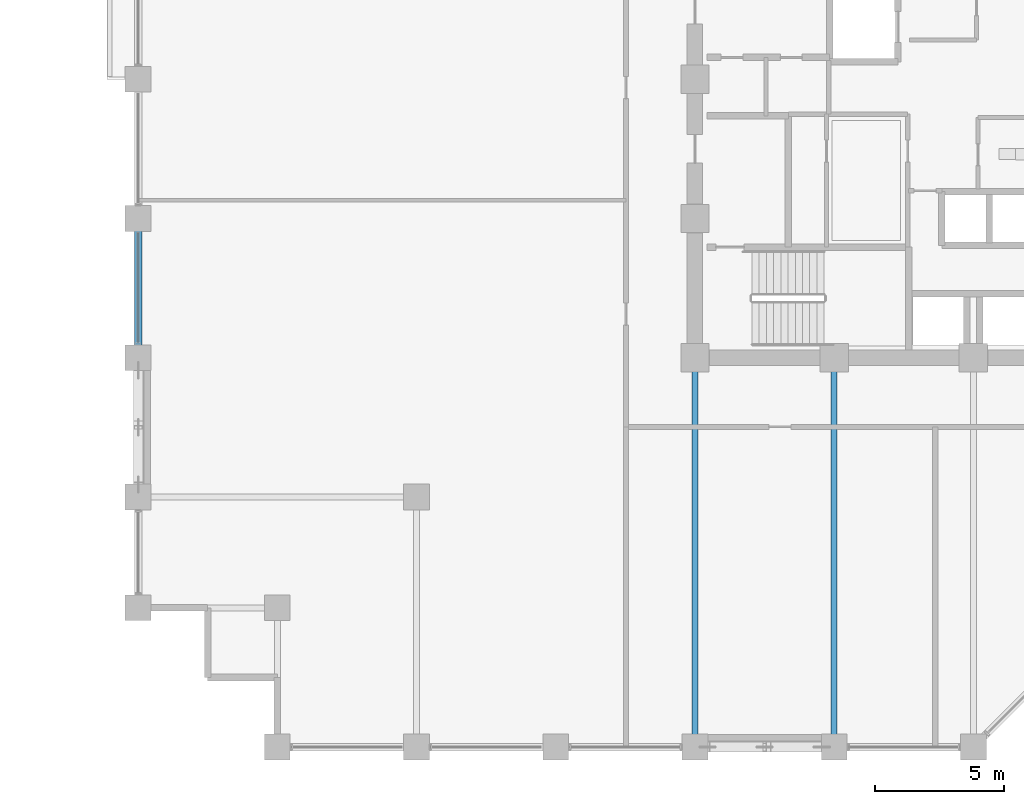
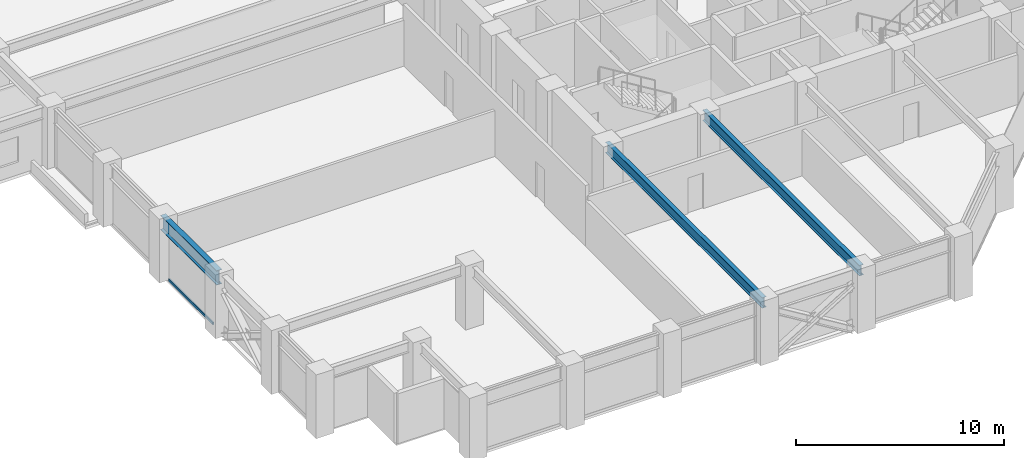
# One storey, part 4 of 29: 3 beams, 1 member, 1 element without a shape of its own.
"""IFC4 building model written with IfcOpenShell, lengths in metres."""

from ifc_helpers import new_model, si_unit, direction, frame, origin, origin_2d, place, context, subcontext, project, spatial, hollow_rectangle, i_section, extrude, material, layer, layer_set, material_profile, profile_set, type_object, element, aggregate, save


model = new_model("IFC4")

# Units and contexts
model_context = context("Model", 3, precision=1e-05, world=origin(), true_north=direction((0.0, 1.0)))
body_context = subcontext(model_context, "Body", "Model", "MODEL_VIEW")
ifc_project = project(units=[si_unit("LENGTHUNIT", "METRE"), si_unit("AREAUNIT", "SQUARE_METRE"), si_unit("VOLUMEUNIT", "CUBIC_METRE"), si_unit("PLANEANGLEUNIT", "RADIAN"), si_unit("MASSUNIT", "GRAM", prefix="KILO")], contexts=[model_context])

# Site, building, storey
site_placement = place(None, origin())
site = spatial("IfcSite", under=ifc_project, at=site_placement, CompositionType="ELEMENT")
building_placement = place(site_placement, origin())
building = spatial("IfcBuilding", under=site, at=building_placement, Name="Surkhivell Harbour Commons", CompositionType="ELEMENT")
storey_placement = place(building_placement, frame((0.0, 0.0, 150.75)))
storey = spatial("IfcBuildingStorey", under=building, at=storey_placement, Name="L39", CompositionType="ELEMENT", Elevation=150.75)

# Beams
ifc_material_1 = material(Name="Steel S355", Category="steel")
ifc_material_profile_1 = material_profile(ifc_material_1, i_section(OverallWidth=0.22998046875, OverallDepth=0.616943359375, WebThickness=0.01318359375, FlangeThickness=0.022216796875, at=origin_2d()), Name="UB610x229x140")
ifc_profile_set_1 = profile_set([ifc_material_profile_1], Name="Steel S355")
beam_type_1 = type_object("IfcBeamType", Name="BM-GRD-610B", PredefinedType="BEAM", material=ifc_profile_set_1)
for number, where, z_axis, x_axis, name in (
    (1, (-10.800048828125, -25.89990234375, 3.261474609375), (0.0, 1.0, 0.0), (-1.0, 0.0, 0.0), "L39 Floor Girder (-10.8,-25.9)"),
    (2, (-5.39990234375, -25.89990234375, 3.261474609375), (0.0, 1.0, 0.0), (-1.0, 0.0, 0.0), "L39 Floor Girder (-5.4,-25.9)"),
):
    element("IfcBeam", number, at=place(storey_placement, frame(where, z_axis=z_axis, x_axis=x_axis)), inside=storey, type_object=beam_type_1, Name=name, PredefinedType="BEAM", context=body_context, shape_type="SweptSolid", body=[
        extrude(i_section(OverallWidth=0.22998046875, OverallDepth=0.616943359375, WebThickness=0.01318359375, FlangeThickness=0.022216796875, at=origin_2d()), origin(), (0.0, 0.0, 1.0), 15.099853515625),
    ])
ifc_material_2 = material(Name="Steel S460", Category="steel")
ifc_material_profile_2 = material_profile(ifc_material_2, i_section(OverallWidth=0.2939453125, OverallDepth=0.85107421875, WebThickness=0.01611328125, FlangeThickness=0.02685546875, at=origin_2d()), Name="UB838x292x226")
ifc_profile_set_2 = profile_set([ifc_material_profile_2], Name="Steel S460")
beam_type_2 = type_object("IfcBeamType", Name="BM-SPN-838", PredefinedType="SPANDREL", material=ifc_profile_set_2)
beam_placement = place(storey_placement, frame((-32.39990234375, -10.800048828125, 3.14453125), z_axis=(0.0, 1.0, 0.0), x_axis=(-1.0, 0.0, 0.0)))
element("IfcBeam", 3, at=beam_placement, inside=storey, type_object=beam_type_2, Name="L39 Tube Spandrel (-32.4,-10.8)", PredefinedType="SPANDREL", context=body_context, shape_type="SweptSolid", body=[
    extrude(i_section(OverallWidth=0.2939453125, OverallDepth=0.85107421875, WebThickness=0.01611328125, FlangeThickness=0.02685546875, at=origin_2d()), origin(), (0.0, 0.0, 1.0), 5.400146484375),
])

# Curtain wall, member
ifc_material_3 = material(Name="Anodised pale-metal aluminium and insulated glazing", Category="aluminium")
ifc_layer = layer(ifc_material_3, 0.205078125)
ifc_layer_set = layer_set([ifc_layer], Name="Anodised pale-metal aluminium and insulated glazing")
curtain_wall_type = type_object("IfcCurtainWallType", Name="CW-SYS-Z2", PredefinedType="NOTDEFINED", material=ifc_layer_set)
curtain_wall_placement = place(storey_placement, origin())
curtain_wall = element("IfcCurtainWall", 4, at=curtain_wall_placement, inside=storey, type_object=curtain_wall_type, Name="L39 Curtain Wall CW-L39-E12R1S2", PredefinedType="NOTDEFINED")
ifc_material_4 = material(Name="Anodised pale-metal aluminium alloy 6063-T6", Category="aluminium")
ifc_material_profile_3 = material_profile(ifc_material_4, hollow_rectangle(XDim=0.074951171875, YDim=0.14990234375, WallThickness=0.00341796875, at=origin_2d()), Name="ALU-TRAN-75x150")
ifc_profile_set_3 = profile_set([ifc_material_profile_3], Name="Anodised pale-metal aluminium alloy 6063-T6")
member_type = type_object("IfcMemberType", Name="CWT-150", PredefinedType="USERDEFINED", material=ifc_profile_set_3)
member_placement = place(storey_placement, frame((-32.39990234375, -10.222900390625, 0.074951171875), z_axis=(0.0, 1.0, 0.0), x_axis=(-1.0, 0.0, 0.0)))
member = element("IfcMember", 5, at=member_placement, type_object=member_type, Name="CW-Z2 transom 1.1", ObjectType="TRANSOM", PredefinedType="USERDEFINED", context=body_context, shape_type="SweptSolid", body=[
    extrude(hollow_rectangle(XDim=0.074951171875, YDim=0.14990234375, WallThickness=0.00341796875, at=origin_2d()), origin(), (0.0, 0.0, 1.0), 4.245849609375),
])
aggregate(curtain_wall, [member])

save(model, "model.ifc")
